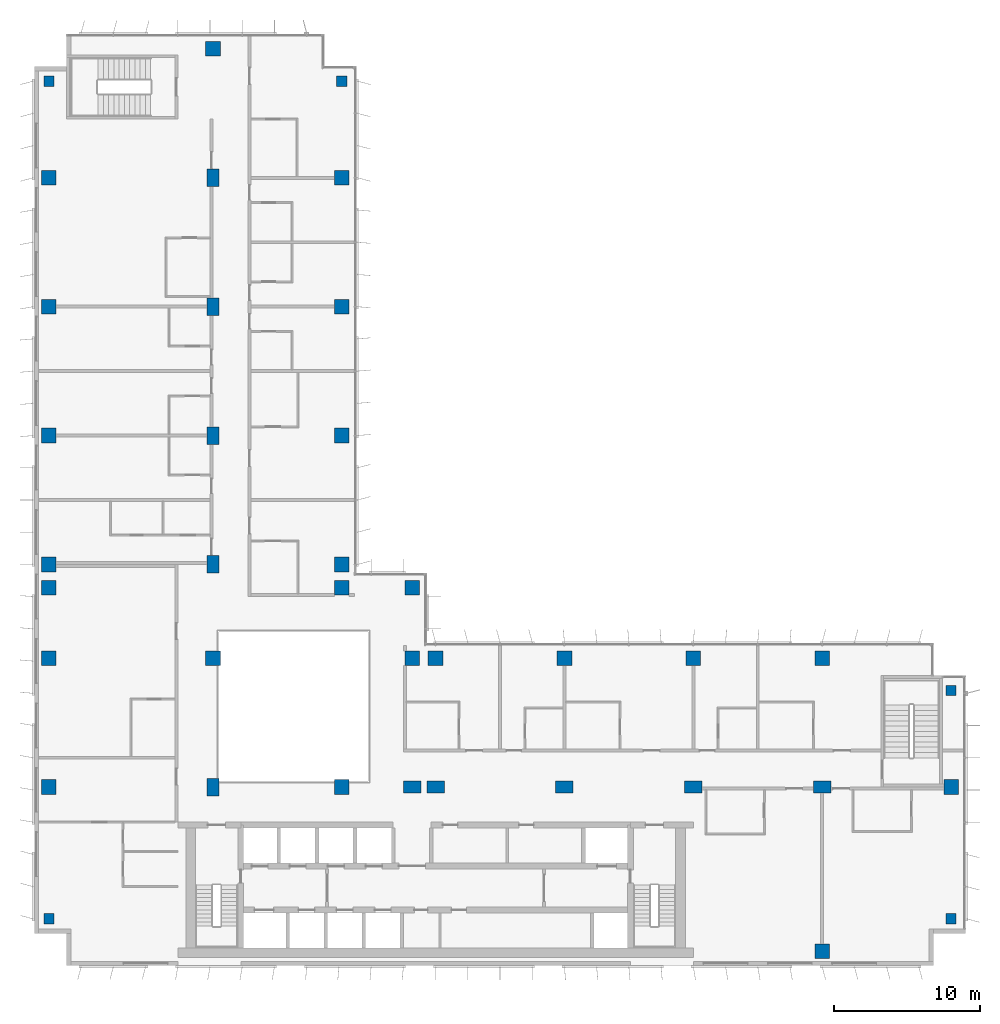
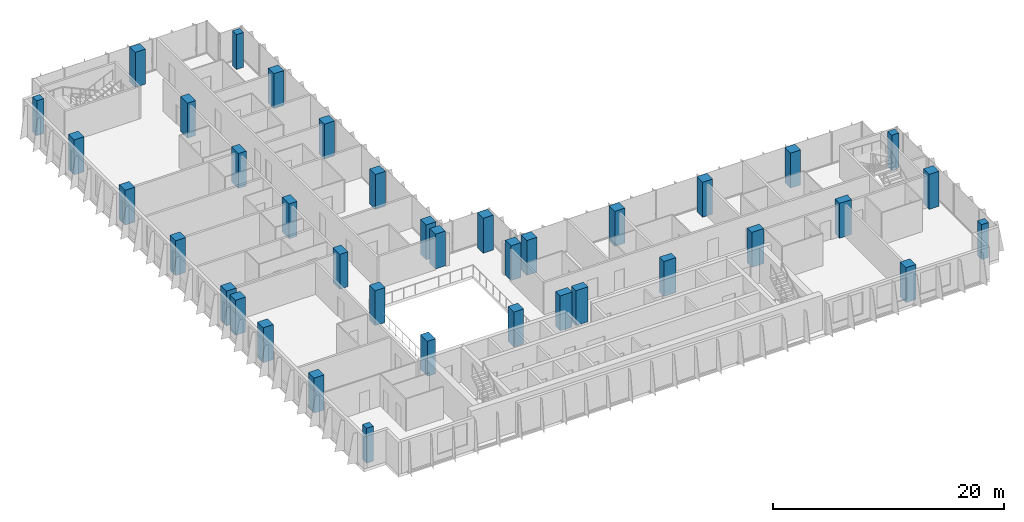
# One storey, part 1 of 21: 38 columns.
"""IFC4 building model written with IfcOpenShell, lengths in metres."""

from ifc_helpers import new_model, si_unit, direction, frame, origin, origin_2d, place, context, subcontext, project, spatial, rectangle, extrude, material, material_profile, profile_set, type_object, element, save


model = new_model("IFC4")

# Units and contexts
model_context = context("Model", 3, precision=1e-05, world=origin(), true_north=direction((0.0, 1.0)))
body_context = subcontext(model_context, "Body", "Model", "MODEL_VIEW")
ifc_project = project(units=[si_unit("LENGTHUNIT", "METRE"), si_unit("AREAUNIT", "SQUARE_METRE"), si_unit("VOLUMEUNIT", "CUBIC_METRE"), si_unit("PLANEANGLEUNIT", "RADIAN"), si_unit("MASSUNIT", "GRAM", prefix="KILO")], contexts=[model_context])

# Site, building, storey
site_placement = place(None, origin())
site = spatial("IfcSite", under=ifc_project, at=site_placement, CompositionType="ELEMENT")
building_placement = place(site_placement, origin())
building = spatial("IfcBuilding", under=site, at=building_placement, Name="Kemantara Hotel Tower", CompositionType="ELEMENT")
storey_placement = place(building_placement, frame((0.0, 0.0, 160.5)))
storey = spatial("IfcBuildingStorey", under=building, at=storey_placement, Name="L39", CompositionType="ELEMENT", Elevation=160.5)

# Columns
ifc_material = material(Name="Concrete fc 60 MPa", Category="concrete")
ifc_material_profile_1 = material_profile(ifc_material, rectangle(XDim=1.0, YDim=1.0, at=origin_2d()), Name="RC 1000X1000")
ifc_profile_set_1 = profile_set([ifc_material_profile_1], Name="Concrete fc 60 MPa")
column_type_1 = type_object("IfcColumnType", Name="RC COLUMN 1000X1000 FC60", PredefinedType="COLUMN", material=ifc_profile_set_1)
for number, where, z_axis, x_axis, name in (
    (1, (1.0, 12.199951171875, 0.0), (0.0, 0.0, 1.0), (1.0, 0.0, 0.0), "COLUMN 1/BA L39"),
    (2, (1.0, 21.0, 0.0), (0.0, 0.0, 1.0), (1.0, 0.0, 0.0), "COLUMN 1/C L39"),
    (3, (1.0, 25.800048828125, 0.0), (0.0, 0.0, 1.0), (1.0, 0.0, 0.0), "COLUMN 1/CA L39"),
    (4, (1.0, 27.39990234375, 0.0), (0.0, 0.0, 1.0), (1.0, 0.0, 0.0), "COLUMN 1/D L39"),
    (5, (1.0, 36.199951171875, 0.0), (0.0, 0.0, 1.0), (1.0, 0.0, 0.0), "COLUMN 1/E L39"),
    (6, (1.0, 45.0, 0.0), (0.0, 0.0, 1.0), (1.0, 0.0, 0.0), "COLUMN 1/F L39"),
    (7, (1.0, 53.800048828125, 0.0), (0.0, 0.0, 1.0), (1.0, 0.0, 0.0), "COLUMN 1/G L39"),
    (8, (12.199951171875, 21.0, 0.0), (0.0, 0.0, 1.0), (1.0, 0.0, 0.0), "COLUMN 2A/C L39"),
    (9, (12.199951171875, 62.60009765625, 0.0), (0.0, 0.0, 1.0), (1.0, 0.0, 0.0), "COLUMN 2A/H L39"),
    (10, (21.0, 12.199951171875, 0.0), (0.0, 0.0, 1.0), (1.0, 0.0, 0.0), "COLUMN 3/BA L39"),
    (11, (21.0, 25.800048828125, 0.0), (0.0, 0.0, 1.0), (1.0, 0.0, 0.0), "COLUMN 3/CA L39"),
    (12, (21.0, 27.39990234375, 0.0), (0.0, 0.0, 1.0), (1.0, 0.0, 0.0), "COLUMN 3/D L39"),
    (13, (21.0, 36.199951171875, 0.0), (0.0, 0.0, 1.0), (1.0, 0.0, 0.0), "COLUMN 3/E L39"),
    (14, (21.0, 45.0, 0.0), (0.0, 0.0, 1.0), (1.0, 0.0, 0.0), "COLUMN 3/F L39"),
    (15, (21.0, 53.800048828125, 0.0), (0.0, 0.0, 1.0), (1.0, 0.0, 0.0), "COLUMN 3/G L39"),
    (16, (25.800048828125, 21.0, 0.0), (0.0, 0.0, 1.0), (1.0, 0.0, 0.0), "COLUMN 3A/C L39"),
    (17, (25.800048828125, 25.800048828125, 0.0), (0.0, 0.0, 1.0), (1.0, 0.0, 0.0), "COLUMN 3A/CA L39"),
    (18, (27.39990234375, 21.0, 0.0), (0.0, 0.0, 1.0), (1.0, 0.0, 0.0), "COLUMN 4/C L39"),
    (19, (36.199951171875, 21.0, 0.0), (0.0, 0.0, 1.0), (1.0, 0.0, 0.0), "COLUMN 5/C L39"),
    (20, (45.0, 21.0, 0.0), (0.0, 0.0, 1.0), (1.0, 0.0, 0.0), "COLUMN 6/C L39"),
    (21, (53.800048828125, 1.0, 0.0), (0.0, 0.0, 1.0), (1.0, 0.0, 0.0), "COLUMN 7/A L39"),
    (22, (53.800048828125, 21.0, 0.0), (0.0, 0.0, 1.0), (1.0, 0.0, 0.0), "COLUMN 7/C L39"),
    (23, (62.60009765625, 12.199951171875, 0.0), (0.0, 0.0, 1.0), (1.0, 0.0, 0.0), "COLUMN 8/BA L39"),
):
    element("IfcColumn", number, at=place(storey_placement, frame(where, z_axis=z_axis, x_axis=x_axis)), inside=storey, type_object=column_type_1, Name=name, PredefinedType="COLUMN", context=body_context, shape_type="SweptSolid", body=[
        extrude(rectangle(XDim=1.0, YDim=1.0, at=origin_2d()), origin(), (0.0, 0.0, 1.0), 3.699951171875),
    ])
ifc_material_profile_2 = material_profile(ifc_material, rectangle(XDim=1.199951171875, YDim=0.800048828125, at=origin_2d()), Name="RC 1200X800")
ifc_profile_set_2 = profile_set([ifc_material_profile_2], Name="Concrete fc 60 MPa")
column_type_2 = type_object("IfcColumnType", Name="RC COLUMN 1200X800 FC60", PredefinedType="COLUMN", material=ifc_profile_set_2)
for number, where, z_axis, x_axis, name in (
    (24, (12.199951171875, 12.199951171875, 0.0), (0.0, 0.0, 1.0), (0.0, 1.0, 0.0), "COLUMN 2A/BA L39"),
    (25, (12.199951171875, 27.39990234375, 0.0), (0.0, 0.0, 1.0), (0.0, 1.0, 0.0), "COLUMN 2A/D L39"),
    (26, (12.199951171875, 36.199951171875, 0.0), (0.0, 0.0, 1.0), (0.0, 1.0, 0.0), "COLUMN 2A/E L39"),
    (27, (12.199951171875, 45.0, 0.0), (0.0, 0.0, 1.0), (0.0, 1.0, 0.0), "COLUMN 2A/F L39"),
    (28, (12.199951171875, 53.800048828125, 0.0), (0.0, 0.0, 1.0), (0.0, 1.0, 0.0), "COLUMN 2A/G L39"),
    (29, (25.800048828125, 12.199951171875, 0.0), (0.0, 0.0, 1.0), (1.0, 0.0, 0.0), "COLUMN 3A/BA L39"),
    (30, (27.39990234375, 12.199951171875, 0.0), (0.0, 0.0, 1.0), (1.0, 0.0, 0.0), "COLUMN 4/BA L39"),
    (31, (36.199951171875, 12.199951171875, 0.0), (0.0, 0.0, 1.0), (1.0, 0.0, 0.0), "COLUMN 5/BA L39"),
    (32, (45.0, 12.199951171875, 0.0), (0.0, 0.0, 1.0), (1.0, 0.0, 0.0), "COLUMN 6/BA L39"),
    (33, (53.800048828125, 12.199951171875, 0.0), (0.0, 0.0, 1.0), (1.0, 0.0, 0.0), "COLUMN 7/BA L39"),
):
    element("IfcColumn", number, at=place(storey_placement, frame(where, z_axis=z_axis, x_axis=x_axis)), inside=storey, type_object=column_type_2, Name=name, PredefinedType="COLUMN", context=body_context, shape_type="SweptSolid", body=[
        extrude(rectangle(XDim=1.199951171875, YDim=0.800048828125, at=origin_2d()), origin(), (0.0, 0.0, 1.0), 3.699951171875),
    ])
ifc_material_profile_3 = material_profile(ifc_material, rectangle(XDim=0.699951171875, YDim=0.699951171875, at=origin_2d()), Name="RC 700X700")
ifc_profile_set_3 = profile_set([ifc_material_profile_3], Name="Concrete fc 60 MPa")
column_type_3 = type_object("IfcColumnType", Name="RC COLUMN 700X700 FC60", PredefinedType="COLUMN", material=ifc_profile_set_3)
for number, where, z_axis, x_axis, name in (
    (34, (1.0, 3.199951171875, 0.0), (0.0, 0.0, 1.0), (1.0, 0.0, 0.0), "COLUMN notch corner L39"),
    (35, (1.0, 60.39990234375, 0.0), (0.0, 0.0, 1.0), (1.0, 0.0, 0.0), "COLUMN notch corner L39"),
    (36, (21.0, 60.39990234375, 0.0), (0.0, 0.0, 1.0), (1.0, 0.0, 0.0), "COLUMN notch corner L39"),
    (37, (62.60009765625, 3.199951171875, 0.0), (0.0, 0.0, 1.0), (1.0, 0.0, 0.0), "COLUMN notch corner L39"),
    (38, (62.60009765625, 18.800048828125, 0.0), (0.0, 0.0, 1.0), (1.0, 0.0, 0.0), "COLUMN notch corner L39"),
):
    element("IfcColumn", number, at=place(storey_placement, frame(where, z_axis=z_axis, x_axis=x_axis)), inside=storey, type_object=column_type_3, Name=name, PredefinedType="COLUMN", context=body_context, shape_type="SweptSolid", body=[
        extrude(rectangle(XDim=0.699951171875, YDim=0.699951171875, at=origin_2d()), origin(), (0.0, 0.0, 1.0), 3.699951171875),
    ])

save(model, "model.ifc")
